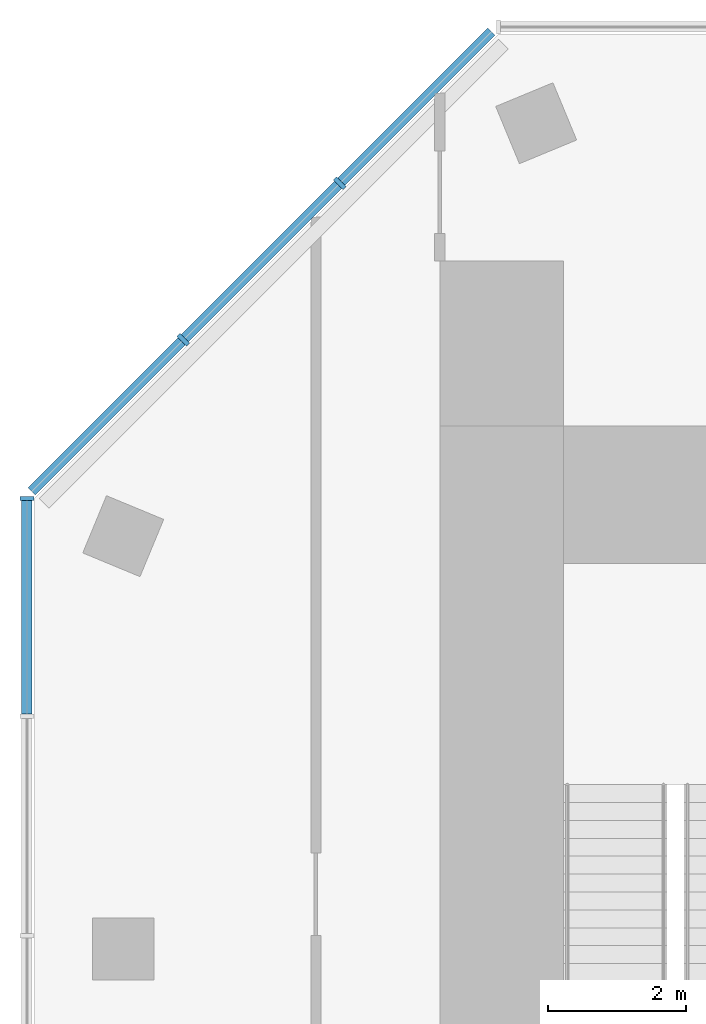
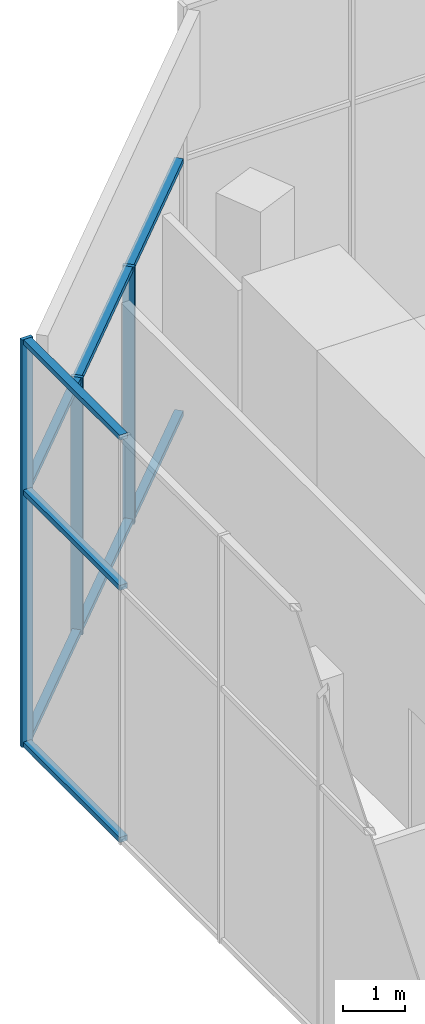
# One storey, part 3 of 9: 12 members, 2 elements without a shape of their own.
"""IFC4 building model written with IfcOpenShell, lengths in metres."""

from ifc_helpers import new_model, si_unit, direction, frame, origin, origin_2d, place, context, subcontext, project, spatial, rectangle, extrude, material, layer, layer_set, material_profile, profile_set, type_object, element, aggregate, save


model = new_model("IFC4")

# Units and contexts
model_context = context("Model", 3, precision=1e-05, world=origin(), true_north=direction((0.0, 1.0)))
body_context = subcontext(model_context, "Body", "Model", "MODEL_VIEW")
ifc_project = project(units=[si_unit("LENGTHUNIT", "METRE"), si_unit("AREAUNIT", "SQUARE_METRE"), si_unit("VOLUMEUNIT", "CUBIC_METRE"), si_unit("PLANEANGLEUNIT", "RADIAN"), si_unit("MASSUNIT", "GRAM", prefix="KILO")], contexts=[model_context])

# Site, building, storey
site_placement = place(None, origin())
site = spatial("IfcSite", under=ifc_project, at=site_placement, CompositionType="ELEMENT")
building_placement = place(site_placement, origin())
building = spatial("IfcBuilding", under=site, at=building_placement, Name="Highveld Stack Headquarters", CompositionType="ELEMENT")
storey_placement = place(building_placement, frame((0.0, 0.0, 300.699951171875)))
storey = spatial("IfcBuildingStorey", under=building, at=storey_placement, Name="L74", CompositionType="ELEMENT", Elevation=300.699951171875)

# Curtain wall, members
ifc_material_1 = material(Name="Aluminium bronze anodised", Category="aluminium")
ifc_layer = layer(ifc_material_1, 0.199951171875)
ifc_layer_set = layer_set([ifc_layer], Name="Aluminium bronze anodised")
curtain_wall_type = type_object("IfcCurtainWallType", Name="CW4 LANTERN CURTAIN WALL", PredefinedType="NOTDEFINED", material=ifc_layer_set)
curtain_wall_1_placement = place(storey_placement, origin())
curtain_wall_1 = element("IfcCurtainWall", 1, at=curtain_wall_1_placement, inside=storey, type_object=curtain_wall_type, Name="Curtain wall CW4 L74 NW", PredefinedType="NOTDEFINED")
ifc_material_2 = material(Name="Aluminium bronze anodised", Category="aluminium")
ifc_material_profile_1 = material_profile(ifc_material_2, rectangle(XDim=0.199951171875, YDim=0.06494140625, at=origin_2d()), Name="CW4 MULLION 65x200")
ifc_profile_set_1 = profile_set([ifc_material_profile_1], Name="Aluminium bronze anodised")
member_type_1 = type_object("IfcMemberType", Name="CW4 MULLION 65x200", PredefinedType="MULLION", material=ifc_profile_set_1)
member_1_placement = place(storey_placement, frame((-8.853271484375, 17.126708984375, 0.0), z_axis=(0.0, 0.0, 1.0), x_axis=(0.707106781187, -0.707106781187, 0.0)))
member_1 = element("IfcMember", 2, at=member_1_placement, type_object=member_type_1, Name="CW4 mullion L74 1", PredefinedType="MULLION", context=body_context, shape_type="SweptSolid", body=[
    extrude(rectangle(XDim=0.199951171875, YDim=0.06494140625, at=origin_2d()), origin(), (0.0, 0.0, 1.0), 5.050048828125),
])
member_2_placement = place(storey_placement, frame((-11.126708984375, 14.853271484375, 0.0), z_axis=(0.0, 0.0, 1.0), x_axis=(0.707106781187, -0.707106781187, 0.0)))
member_2 = element("IfcMember", 3, at=member_2_placement, type_object=member_type_1, Name="CW4 mullion L74 2", PredefinedType="MULLION", context=body_context, shape_type="SweptSolid", body=[
    extrude(rectangle(XDim=0.199951171875, YDim=0.06494140625, at=origin_2d()), origin(), (0.0, 0.0, 1.0), 5.050048828125),
])

# Curtain wall, member
curtain_wall_2_placement = place(storey_placement, origin())
curtain_wall_2 = element("IfcCurtainWall", 4, at=curtain_wall_2_placement, inside=storey, type_object=curtain_wall_type, Name="Curtain wall CW4 L74 W", PredefinedType="NOTDEFINED")
member_3_placement = place(storey_placement, frame((-13.39990234375, 12.54736328125, 0.0), z_axis=(0.0, 0.0, 1.0), x_axis=(1.0, 0.0, 0.0)))
member_3 = element("IfcMember", 5, at=member_3_placement, type_object=member_type_1, Name="CW4 mullion L74 1", PredefinedType="MULLION", context=body_context, shape_type="SweptSolid", body=[
    extrude(rectangle(XDim=0.199951171875, YDim=0.06494140625, at=origin_2d()), origin(), (0.0, 0.0, 1.0), 8.0),
])

# Member
ifc_material_3 = material(Name="Aluminium bronze anodised", Category="aluminium")
ifc_material_profile_2 = material_profile(ifc_material_3, rectangle(XDim=0.14990234375, YDim=0.10009765625, at=origin_2d()), Name="CW4 TRANSOM 150x100")
ifc_profile_set_2 = profile_set([ifc_material_profile_2], Name="Aluminium bronze anodised")
member_type_2 = type_object("IfcMemberType", Name="CW4 STACK TRANSOM 150x100", PredefinedType="USERDEFINED", material=ifc_profile_set_2)
member_4_placement = place(storey_placement, frame((-6.650634765625, 19.329345703125, 0.050048828125), z_axis=(-0.707106781187, -0.707106781187, 0.0), x_axis=(0.707106781187, -0.707106781187, 0.0)))
member_4 = element("IfcMember", 6, at=member_4_placement, type_object=member_type_2, Name="CW4 transom L74 1.1", ObjectType="TRANSOM", PredefinedType="USERDEFINED", context=body_context, shape_type="SweptSolid", body=[
    extrude(rectangle(XDim=0.14990234375, YDim=0.10009765625, at=origin_2d()), origin(), (0.0, 0.0, 1.0), 3.08251953125),
])

member_5_placement = place(storey_placement, frame((-6.650634765625, 19.329345703125, 5.0), z_axis=(-0.707106781187, -0.707106781187, 0.0), x_axis=(0.707106781187, -0.707106781187, 0.0)))
member_5 = element("IfcMember", 7, at=member_5_placement, type_object=member_type_2, Name="CW4 transom L74 1.2", ObjectType="TRANSOM", PredefinedType="USERDEFINED", context=body_context, shape_type="SweptSolid", body=[
    extrude(rectangle(XDim=0.14990234375, YDim=0.10009765625, at=origin_2d()), origin(), (0.0, 0.0, 1.0), 3.08251953125),
])

member_6_placement = place(storey_placement, frame((-8.876220703125, 17.103759765625, 0.050048828125), z_axis=(-0.707106781187, -0.707106781187, 0.0), x_axis=(0.707106781187, -0.707106781187, 0.0)))
member_6 = element("IfcMember", 8, at=member_6_placement, type_object=member_type_2, Name="CW4 transom L74 2.1", ObjectType="TRANSOM", PredefinedType="USERDEFINED", context=body_context, shape_type="SweptSolid", body=[
    extrude(rectangle(XDim=0.14990234375, YDim=0.10009765625, at=origin_2d()), origin(), (0.0, 0.0, 1.0), 3.150146484375),
])

member_7_placement = place(storey_placement, frame((-8.876220703125, 17.103759765625, 5.0), z_axis=(-0.707106781187, -0.707106781187, 0.0), x_axis=(0.707106781187, -0.707106781187, 0.0)))
member_7 = element("IfcMember", 9, at=member_7_placement, type_object=member_type_2, Name="CW4 transom L74 2.2", ObjectType="TRANSOM", PredefinedType="USERDEFINED", context=body_context, shape_type="SweptSolid", body=[
    extrude(rectangle(XDim=0.14990234375, YDim=0.10009765625, at=origin_2d()), origin(), (0.0, 0.0, 1.0), 3.150146484375),
])

member_8_placement = place(storey_placement, frame((-11.149658203125, 14.830322265625, 0.050048828125), z_axis=(-0.707106781187, -0.707106781187, 0.0), x_axis=(0.707106781187, -0.707106781187, 0.0)))
member_8 = element("IfcMember", 10, at=member_8_placement, type_object=member_type_2, Name="CW4 transom L74 3.1", ObjectType="TRANSOM", PredefinedType="USERDEFINED", context=body_context, shape_type="SweptSolid", body=[
    extrude(rectangle(XDim=0.14990234375, YDim=0.10009765625, at=origin_2d()), origin(), (0.0, 0.0, 1.0), 3.08251953125),
])

member_9_placement = place(storey_placement, frame((-11.149658203125, 14.830322265625, 5.0), z_axis=(-0.707106781187, -0.707106781187, 0.0), x_axis=(0.707106781187, -0.707106781187, 0.0)))
member_9 = element("IfcMember", 11, at=member_9_placement, type_object=member_type_2, Name="CW4 transom L74 3.2", ObjectType="TRANSOM", PredefinedType="USERDEFINED", context=body_context, shape_type="SweptSolid", body=[
    extrude(rectangle(XDim=0.14990234375, YDim=0.10009765625, at=origin_2d()), origin(), (0.0, 0.0, 1.0), 3.08251953125),
])

aggregate(curtain_wall_1, [member_1, member_2, member_4, member_5, member_6, member_7, member_8, member_9])

member_10_placement = place(storey_placement, frame((-13.39990234375, 12.514892578125, 0.050048828125), z_axis=(0.0, -1.0, 0.0), x_axis=(1.0, 0.0, 0.0)))
member_10 = element("IfcMember", 12, at=member_10_placement, type_object=member_type_2, Name="CW4 transom L74 1.1", ObjectType="TRANSOM", PredefinedType="USERDEFINED", context=body_context, shape_type="SweptSolid", body=[
    extrude(rectangle(XDim=0.14990234375, YDim=0.10009765625, at=origin_2d()), origin(), (0.0, 0.0, 1.0), 3.095703125),
])

member_11_placement = place(storey_placement, frame((-13.39990234375, 12.514892578125, 5.0), z_axis=(0.0, -1.0, 0.0), x_axis=(1.0, 0.0, 0.0)))
member_11 = element("IfcMember", 13, at=member_11_placement, type_object=member_type_2, Name="CW4 transom L74 1.2", ObjectType="TRANSOM", PredefinedType="USERDEFINED", context=body_context, shape_type="SweptSolid", body=[
    extrude(rectangle(XDim=0.14990234375, YDim=0.10009765625, at=origin_2d()), origin(), (0.0, 0.0, 1.0), 3.095703125),
])

member_12_placement = place(storey_placement, frame((-13.39990234375, 12.514892578125, 7.949951171875), z_axis=(0.0, -1.0, 0.0), x_axis=(1.0, 0.0, 0.0)))
member_12 = element("IfcMember", 14, at=member_12_placement, type_object=member_type_2, Name="CW4 transom L74 1.3", ObjectType="TRANSOM", PredefinedType="USERDEFINED", context=body_context, shape_type="SweptSolid", body=[
    extrude(rectangle(XDim=0.14990234375, YDim=0.10009765625, at=origin_2d()), origin(), (0.0, 0.0, 1.0), 3.095703125),
])

aggregate(curtain_wall_2, [member_3, member_10, member_11, member_12])

save(model, "model.ifc")
